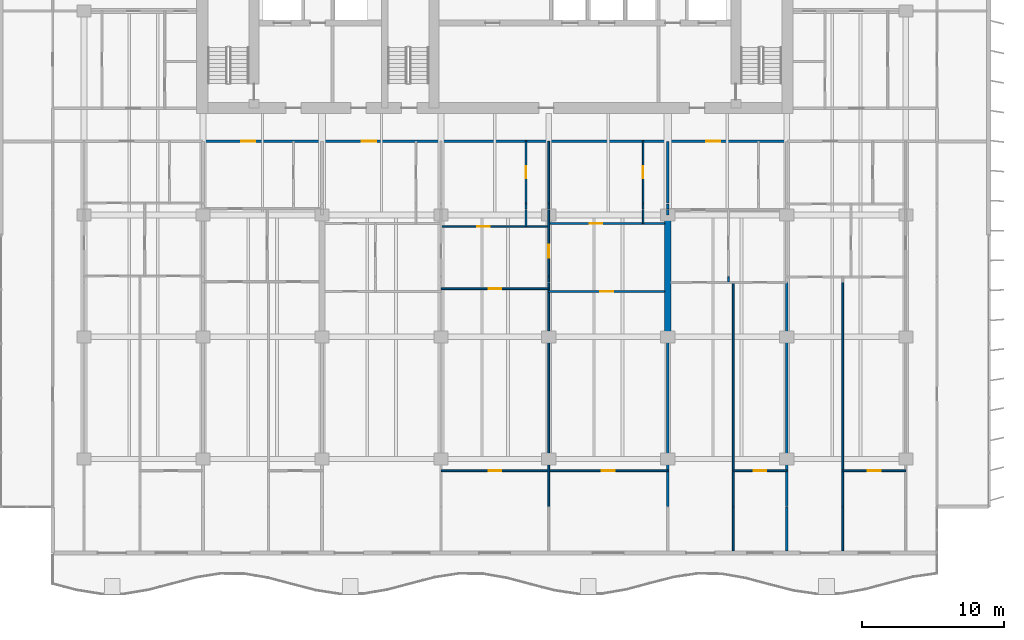
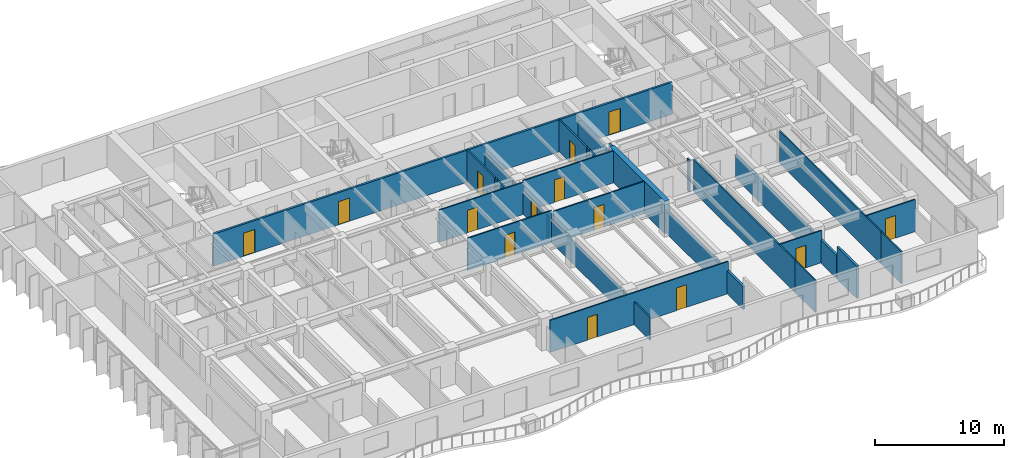
# One storey, part 8 of 16: 31 walls, 14 doors, 14 openings.
"""IFC4 building model written with IfcOpenShell, lengths in metres."""

from ifc_helpers import new_model, si_unit, direction, frame, frame_2d, origin, place, context, subcontext, project, spatial, rectangle, extrude, material, layer, layer_set, type_object, element, fill, save


model = new_model("IFC4")

# Units and contexts
model_context = context("Model", 3, precision=1e-05, world=origin(), true_north=direction((0.0, 1.0)))
body_context = subcontext(model_context, "Body", "Model", "MODEL_VIEW")
ifc_project = project(units=[si_unit("LENGTHUNIT", "METRE"), si_unit("AREAUNIT", "SQUARE_METRE"), si_unit("VOLUMEUNIT", "CUBIC_METRE"), si_unit("PLANEANGLEUNIT", "RADIAN"), si_unit("MASSUNIT", "GRAM", prefix="KILO")], contexts=[model_context])

# Site, building, storey
site_placement = place(None, origin())
site = spatial("IfcSite", under=ifc_project, at=site_placement, CompositionType="ELEMENT")
building_placement = place(site_placement, origin())
building = spatial("IfcBuilding", under=site, at=building_placement, Name="Caelmar Bay Residences", CompositionType="ELEMENT")
storey_placement = place(building_placement, frame((0.0, 0.0, 102.60009765625)))
storey = spatial("IfcBuildingStorey", under=building, at=storey_placement, Name="L27", CompositionType="ELEMENT", Elevation=102.60009765625)

# Wall
ifc_material_1 = material(Name="Concrete f'c 55 MPa (8,000 psi)", Category="concrete")
ifc_layer_1 = layer(ifc_material_1, 0.449951171875)
ifc_layer_set_1 = layer_set([ifc_layer_1], Name="Concrete f'c 55 MPa (8,000 psi)")
wall_type_1 = type_object("IfcWallType", Name="SW-XSLB-450", PredefinedType="SHEAR", material=ifc_layer_set_1)
wall_1_placement = place(storey_placement, frame((51.10009765625, 20.800048828125, 0.0), z_axis=(0.0, 0.0, 1.0), x_axis=(0.0, 1.0, 0.0)))
element("IfcWall", 1, at=wall_1_placement, inside=storey, type_object=wall_type_1, Name="L27 Transverse Cross-Slab Shear Wall E8", PredefinedType="SHEAR", context=body_context, shape_type="SweptSolid", body=[
    extrude(rectangle(XDim=8.599853515625, YDim=0.449951171875, at=frame_2d((4.2998046875, 0.0))), origin(), (0.0, 0.0, 1.0), 3.0498046875),
])

# Wall, openings, doors
ifc_material_2 = material(Name="Double-stud acoustic fire-rated gypsum partition 180 mm")
ifc_layer_2 = layer(ifc_material_2, 0.179931640625)
ifc_layer_set_2 = layer_set([ifc_layer_2], Name="Double-stud acoustic fire-rated gypsum partition 180 mm")
wall_type_2 = type_object("IfcWallType", Name="W-COR-200", PredefinedType="PARTITIONING", material=ifc_layer_set_2)
wall_2_placement = place(storey_placement, frame((18.300048828125, 34.60009765625, 0.0), z_axis=(0.0, 0.0, 1.0), x_axis=(1.0, 0.0, 0.0)))
wall_2 = element("IfcWall", 2, at=wall_2_placement, inside=storey, type_object=wall_type_2, Name="L27 Partition Wall H139", PredefinedType="PARTITIONING", context=body_context, shape_type="SweptSolid", body=[
    extrude(rectangle(XDim=41.199951171875, YDim=0.179931640625, at=frame_2d((20.60009765625, 0.0))), origin(), (0.0, 0.0, 1.0), 3.0498046875),
])
opening_1_placement = place(wall_2_placement, frame((2.69140625, 0.0, 0.0)))
opening_1 = element("IfcOpeningElement", 3, at=opening_1_placement, cuts=wall_2, Name="Opening D-L27-129", PredefinedType="OPENING", context=body_context, shape_type="SweptSolid", body=[
    extrude(rectangle(XDim=1.0, YDim=2.199951171875, at=frame_2d((0.5, 1.10009765625))), frame((0.0, 0.099853515625, 0.0), z_axis=(0.0, -1.0, 0.0), x_axis=(1.0, 0.0, 0.0)), (0.0, 0.0, 1.0), 0.199951171875),
])
opening_2_placement = place(wall_2_placement, frame((11.2119140625, 0.0, 0.0)))
opening_2 = element("IfcOpeningElement", 4, at=opening_2_placement, cuts=wall_2, Name="Opening D-L27-136", PredefinedType="OPENING", context=body_context, shape_type="SweptSolid", body=[
    extrude(rectangle(XDim=1.0, YDim=2.199951171875, at=frame_2d((0.5, 1.10009765625))), frame((0.0, 0.099853515625, 0.0), z_axis=(0.0, -1.0, 0.0), x_axis=(1.0, 0.0, 0.0)), (0.0, 0.0, 1.0), 0.199951171875),
])
opening_3_placement = place(wall_2_placement, frame((35.50390625, 0.0, 0.0)))
opening_3 = element("IfcOpeningElement", 5, at=opening_3_placement, cuts=wall_2, Name="Opening D-L27-151", PredefinedType="OPENING", context=body_context, shape_type="SweptSolid", body=[
    extrude(rectangle(XDim=1.0, YDim=2.199951171875, at=frame_2d((0.5, 1.10009765625))), frame((0.0, 0.099853515625, 0.0), z_axis=(0.0, -1.0, 0.0), x_axis=(1.0, 0.0, 0.0)), (0.0, 0.0, 1.0), 0.199951171875),
])
ifc_material_3 = material(Name="Fire-rated steel and walnut architectural door assembly", Category="steel")
ifc_layer_3 = layer(ifc_material_3, 0.050048828125)
ifc_layer_set_3 = layer_set([ifc_layer_3], Name="Fire-rated steel and walnut architectural door assembly")
door_type_1 = type_object("IfcDoorType", Name="D-UNIT-1000", OperationType="NOTDEFINED", PredefinedType="DOOR", material=ifc_layer_set_3)
door_1_placement = place(opening_1_placement, origin())
door_1 = element("IfcDoor", 6, at=door_1_placement, inside=storey, type_object=door_type_1, Name="L27 Residence 02 Apartment Hall Door", OperationType="SINGLE_SWING_RIGHT", OverallHeight=2.199951171875, OverallWidth=1.0, PredefinedType="DOOR", context=body_context, shape_type="SweptSolid", body=[
    extrude(rectangle(XDim=1.0, YDim=2.199951171875, at=frame_2d((0.5, 1.10009765625))), frame((0.0, 0.02490234375, 0.0), z_axis=(0.0, -1.0, 0.0), x_axis=(1.0, 0.0, 0.0)), (0.0, 0.0, 1.0), 0.050048828125),
])
fill(opening_1, door_1)
door_2_placement = place(opening_2_placement, origin())
door_2 = element("IfcDoor", 7, at=door_2_placement, inside=storey, type_object=door_type_1, Name="L27 Residence 03 Apartment Hall Door", OperationType="SINGLE_SWING_LEFT", OverallHeight=2.199951171875, OverallWidth=1.0, PredefinedType="DOOR", context=body_context, shape_type="SweptSolid", body=[
    extrude(rectangle(XDim=1.0, YDim=2.199951171875, at=frame_2d((0.5, 1.10009765625))), frame((0.0, 0.02490234375, 0.0), z_axis=(0.0, -1.0, 0.0), x_axis=(1.0, 0.0, 0.0)), (0.0, 0.0, 1.0), 0.050048828125),
])
fill(opening_2, door_2)
door_3_placement = place(opening_3_placement, origin())
door_3 = element("IfcDoor", 8, at=door_3_placement, inside=storey, type_object=door_type_1, Name="L27 Residence 04 Apartment Hall Door", OperationType="SINGLE_SWING_RIGHT", OverallHeight=2.199951171875, OverallWidth=1.0, PredefinedType="DOOR", context=body_context, shape_type="SweptSolid", body=[
    extrude(rectangle(XDim=1.0, YDim=2.199951171875, at=frame_2d((0.5, 1.10009765625))), frame((0.0, 0.02490234375, 0.0), z_axis=(0.0, -1.0, 0.0), x_axis=(1.0, 0.0, 0.0)), (0.0, 0.0, 1.0), 0.050048828125),
])
fill(opening_3, door_3)

# Walls
ifc_material_4 = material(Name="Acoustic metal-stud gypsum partition 120 mm")
ifc_layer_4 = layer(ifc_material_4, 0.1201171875)
ifc_layer_set_4 = layer_set([ifc_layer_4], Name="Acoustic metal-stud gypsum partition 120 mm")
wall_type_3 = type_object("IfcWallType", Name="W-PRT-120", PredefinedType="PARTITIONING", material=ifc_layer_set_4)
wall_3_placement = place(storey_placement, frame((41.10009765625, 28.60009765625, 0.0), z_axis=(0.0, 0.0, 1.0), x_axis=(0.0, 1.0, 0.0)))
element("IfcWall", 9, at=wall_3_placement, inside=storey, type_object=wall_type_3, Name="L27 Partition Wall V057", PredefinedType="PARTITIONING", context=body_context, shape_type="SweptSolid", body=[
    extrude(rectangle(XDim=1.179931640625, YDim=0.1201171875, at=frame_2d((0.58984375, 0.0))), origin(), (0.0, 0.0, 1.0), 3.0498046875),
])
wall_4_placement = place(storey_placement, frame((41.10009765625, 29.840087890625, 0.0), z_axis=(0.0, 0.0, 1.0), x_axis=(0.0, 1.0, 0.0)))
element("IfcWall", 10, at=wall_4_placement, inside=storey, type_object=wall_type_3, Name="L27 Partition Wall V058", PredefinedType="PARTITIONING", context=body_context, shape_type="SweptSolid", body=[
    extrude(rectangle(XDim=0.33984375, YDim=0.1201171875, at=frame_2d((0.169921875, 0.0))), origin(), (0.0, 0.0, 1.0), 3.0498046875),
])

# Wall, opening, door
wall_5_placement = place(storey_placement, frame((41.10009765625, 30.239990234375, 0.0), z_axis=(0.0, 0.0, 1.0), x_axis=(0.0, 1.0, 0.0)))
wall_5 = element("IfcWall", 11, at=wall_5_placement, inside=storey, type_object=wall_type_3, Name="L27 Partition Wall V059", PredefinedType="PARTITIONING", context=body_context, shape_type="SweptSolid", body=[
    extrude(rectangle(XDim=4.360107421875, YDim=0.1201171875, at=frame_2d((2.18017578125, 0.0))), origin(), (0.0, 0.0, 1.0), 3.0498046875),
])
opening_4_placement = place(wall_5_placement, frame((1.7548828125, 0.0, 0.0)))
opening_4 = element("IfcOpeningElement", 12, at=opening_4_placement, cuts=wall_5, Name="Opening D-L27-143", PredefinedType="OPENING", context=body_context, shape_type="SweptSolid", body=[
    extrude(rectangle(XDim=0.85009765625, YDim=2.10009765625, at=frame_2d((0.425048828125, 1.050048828125))), frame((0.0, 0.070068359375, 0.0), z_axis=(0.0, -1.0, 0.0), x_axis=(1.0, 0.0, 0.0)), (0.0, 0.0, 1.0), 0.14013671875),
])
ifc_material_5 = material(Name="Solid walnut timber interior door leaf and frame", Category="wood")
ifc_layer_5 = layer(ifc_material_5, 0.050048828125)
ifc_layer_set_5 = layer_set([ifc_layer_5], Name="Solid walnut timber interior door leaf and frame")
door_type_2 = type_object("IfcDoorType", Name="D-BATH-850", OperationType="NOTDEFINED", PredefinedType="DOOR", material=ifc_layer_set_5)
door_4_placement = place(opening_4_placement, origin())
door_4 = element("IfcDoor", 13, at=door_4_placement, inside=storey, type_object=door_type_2, Name="L27 Residence 03 En-Suite Bathroom 1 Door", OperationType="SINGLE_SWING_RIGHT", OverallHeight=2.10009765625, OverallWidth=0.85009765625, PredefinedType="DOOR", context=body_context, shape_type="SweptSolid", body=[
    extrude(rectangle(XDim=0.85009765625, YDim=2.10009765625, at=frame_2d((0.425048828125, 1.050048828125))), frame((0.0, 0.02490234375, 0.0), z_axis=(0.0, -1.0, 0.0), x_axis=(1.0, 0.0, 0.0)), (0.0, 0.0, 1.0), 0.050048828125),
])
fill(opening_4, door_4)

# Walls
wall_6_placement = place(storey_placement, frame((42.699951171875, 8.840087890625, 0.0), z_axis=(0.0, 0.0, 1.0), x_axis=(0.0, 1.0, 0.0)))
element("IfcWall", 14, at=wall_6_placement, inside=storey, type_object=wall_type_3, Name="L27 Partition Wall V062", PredefinedType="PARTITIONING", context=body_context, shape_type="SweptSolid", body=[
    extrude(rectangle(XDim=15.789794921875, YDim=0.1201171875, at=frame_2d((7.89501953125, 0.0))), origin(), (0.0, 0.0, 1.0), 2.173828125),
])
wall_7_placement = place(storey_placement, frame((42.699951171875, 24.68994140625, 0.0), z_axis=(0.0, 0.0, 1.0), x_axis=(0.0, 1.0, 0.0)))
element("IfcWall", 15, at=wall_7_placement, inside=storey, type_object=wall_type_3, Name="L27 Partition Wall V063", PredefinedType="PARTITIONING", context=body_context, shape_type="SweptSolid", body=[
    extrude(rectangle(XDim=0.340087890625, YDim=0.1201171875, at=frame_2d((0.169921875, 0.0))), origin(), (0.0, 0.0, 1.0), 2.173828125),
])

# Wall, opening, door
wall_8_placement = place(storey_placement, frame((42.699951171875, 25.090087890625, 0.0), z_axis=(0.0, 0.0, 1.0), x_axis=(0.0, 1.0, 0.0)))
wall_8 = element("IfcWall", 16, at=wall_8_placement, inside=storey, type_object=wall_type_3, Name="L27 Partition Wall V064", PredefinedType="PARTITIONING", context=body_context, shape_type="SweptSolid", body=[
    extrude(rectangle(XDim=4.68994140625, YDim=0.1201171875, at=frame_2d((2.344970703125, 0.0))), origin(), (0.0, 0.0, 1.0), 2.173828125),
])
opening_5_placement = place(wall_8_placement, frame((1.304931640625, 0.0, 0.0)))
opening_5 = element("IfcOpeningElement", 17, at=opening_5_placement, cuts=wall_8, Name="Opening D-L27-146", PredefinedType="OPENING", context=body_context, shape_type="SweptSolid", body=[
    extrude(rectangle(XDim=0.89990234375, YDim=2.1240234375, at=frame_2d((0.449951171875, 1.06201171875))), frame((0.0, 0.070068359375, 0.0), z_axis=(0.0, -1.0, 0.0), x_axis=(1.0, 0.0, 0.0)), (0.0, 0.0, 1.0), 0.14013671875),
])
ifc_layer_6 = layer(ifc_material_5, 0.050048828125)
ifc_layer_set_6 = layer_set([ifc_layer_6], Name="Solid walnut timber interior door leaf and frame")
door_type_3 = type_object("IfcDoorType", Name="D-ROOM-900", OperationType="NOTDEFINED", PredefinedType="DOOR", material=ifc_layer_set_6)
door_5_placement = place(opening_5_placement, origin())
door_5 = element("IfcDoor", 18, at=door_5_placement, inside=storey, type_object=door_type_3, Name="L27 Residence 03 Formal Dining Room 2 Door", OperationType="SINGLE_SWING_LEFT", OverallHeight=2.1240234375, OverallWidth=0.89990234375, PredefinedType="DOOR", context=body_context, shape_type="SweptSolid", body=[
    extrude(rectangle(XDim=0.89990234375, YDim=2.1240234375, at=frame_2d((0.449951171875, 1.06201171875))), frame((0.0, 0.02490234375, 0.0), z_axis=(0.0, -1.0, 0.0), x_axis=(1.0, 0.0, 0.0)), (0.0, 0.0, 1.0), 0.050048828125),
])
fill(opening_5, door_5)

# Walls
wall_9_placement = place(storey_placement, frame((42.699951171875, 29.840087890625, 0.0), z_axis=(0.0, 0.0, 1.0), x_axis=(0.0, 1.0, 0.0)))
element("IfcWall", 19, at=wall_9_placement, inside=storey, type_object=wall_type_3, Name="L27 Partition Wall V065", PredefinedType="PARTITIONING", context=body_context, shape_type="SweptSolid", body=[
    extrude(rectangle(XDim=0.33984375, YDim=0.1201171875, at=frame_2d((0.169921875, 0.0))), origin(), (0.0, 0.0, 1.0), 2.173828125),
])
wall_10_placement = place(storey_placement, frame((42.699951171875, 30.239990234375, 0.0), z_axis=(0.0, 0.0, 1.0), x_axis=(0.0, 1.0, 0.0)))
element("IfcWall", 20, at=wall_10_placement, inside=storey, type_object=wall_type_3, Name="L27 Partition Wall V066", PredefinedType="PARTITIONING", context=body_context, shape_type="SweptSolid", body=[
    extrude(rectangle(XDim=4.360107421875, YDim=0.1201171875, at=frame_2d((2.18017578125, 0.0))), origin(), (0.0, 0.0, 1.0), 2.173828125),
])
wall_11_placement = place(storey_placement, frame((49.35888671875, 28.800048828125, 0.0), z_axis=(0.0, 0.0, 1.0), x_axis=(0.0, 1.0, 0.0)))
element("IfcWall", 21, at=wall_11_placement, inside=storey, type_object=wall_type_3, Name="L27 Partition Wall V071", PredefinedType="PARTITIONING", context=body_context, shape_type="SweptSolid", body=[
    extrude(rectangle(XDim=0.97998046875, YDim=0.1201171875, at=frame_2d((0.489990234375, 0.0))), origin(), (0.0, 0.0, 1.0), 3.0498046875),
])
wall_12_placement = place(storey_placement, frame((49.35888671875, 29.840087890625, 0.0), z_axis=(0.0, 0.0, 1.0), x_axis=(0.0, 1.0, 0.0)))
element("IfcWall", 22, at=wall_12_placement, inside=storey, type_object=wall_type_3, Name="L27 Partition Wall V072", PredefinedType="PARTITIONING", context=body_context, shape_type="SweptSolid", body=[
    extrude(rectangle(XDim=0.33984375, YDim=0.1201171875, at=frame_2d((0.169921875, 0.0))), origin(), (0.0, 0.0, 1.0), 3.0498046875),
])

# Wall, opening, door
wall_13_placement = place(storey_placement, frame((49.35888671875, 30.239990234375, 0.0), z_axis=(0.0, 0.0, 1.0), x_axis=(0.0, 1.0, 0.0)))
wall_13 = element("IfcWall", 23, at=wall_13_placement, inside=storey, type_object=wall_type_3, Name="L27 Partition Wall V073", PredefinedType="PARTITIONING", context=body_context, shape_type="SweptSolid", body=[
    extrude(rectangle(XDim=4.360107421875, YDim=0.1201171875, at=frame_2d((2.18017578125, 0.0))), origin(), (0.0, 0.0, 1.0), 3.0498046875),
])
opening_6_placement = place(wall_13_placement, frame((1.7548828125, 0.0, 0.0)))
opening_6 = element("IfcOpeningElement", 24, at=opening_6_placement, cuts=wall_13, Name="Opening D-L27-148", PredefinedType="OPENING", context=body_context, shape_type="SweptSolid", body=[
    extrude(rectangle(XDim=0.85009765625, YDim=2.10009765625, at=frame_2d((0.425048828125, 1.050048828125))), frame((0.0, 0.070068359375, 0.0), z_axis=(0.0, -1.0, 0.0), x_axis=(1.0, 0.0, 0.0)), (0.0, 0.0, 1.0), 0.14013671875),
])
door_6_placement = place(opening_6_placement, origin())
door_6 = element("IfcDoor", 25, at=door_6_placement, inside=storey, type_object=door_type_2, Name="L27 Residence 03 En-Suite Bathroom 2 Door", OperationType="SINGLE_SWING_LEFT", OverallHeight=2.10009765625, OverallWidth=0.85009765625, PredefinedType="DOOR", context=body_context, shape_type="SweptSolid", body=[
    extrude(rectangle(XDim=0.85009765625, YDim=2.10009765625, at=frame_2d((0.425048828125, 1.050048828125))), frame((0.0, 0.02490234375, 0.0), z_axis=(0.0, -1.0, 0.0), x_axis=(1.0, 0.0, 0.0)), (0.0, 0.0, 1.0), 0.050048828125),
])
fill(opening_6, door_6)

# Walls
wall_14_placement = place(storey_placement, frame((55.385986328125, 24.68994140625, 0.0), z_axis=(0.0, 0.0, 1.0), x_axis=(0.0, 1.0, 0.0)))
element("IfcWall", 26, at=wall_14_placement, inside=storey, type_object=wall_type_3, Name="L27 Partition Wall V083", PredefinedType="PARTITIONING", context=body_context, shape_type="SweptSolid", body=[
    extrude(rectangle(XDim=0.340087890625, YDim=0.1201171875, at=frame_2d((0.169921875, 0.0))), origin(), (0.0, 0.0, 1.0), 3.0498046875),
])
wall_15_placement = place(storey_placement, frame((55.719970703125, 5.695068359375, 0.0), z_axis=(0.0, 0.0, 1.0), x_axis=(0.0, 1.0, 0.0)))
element("IfcWall", 27, at=wall_15_placement, inside=storey, type_object=wall_type_3, Name="L27 Partition Wall V085", PredefinedType="PARTITIONING", context=body_context, shape_type="SweptSolid", body=[
    extrude(rectangle(XDim=3.10498046875, YDim=0.1201171875, at=frame_2d((1.552490234375, 0.0))), origin(), (0.0, 0.0, 1.0), 3.0498046875),
])
wall_16_placement = place(storey_placement, frame((55.719970703125, 8.840087890625, 0.0), z_axis=(0.0, 0.0, 1.0), x_axis=(0.0, 1.0, 0.0)))
element("IfcWall", 28, at=wall_16_placement, inside=storey, type_object=wall_type_3, Name="L27 Partition Wall V086", PredefinedType="PARTITIONING", context=body_context, shape_type="SweptSolid", body=[
    extrude(rectangle(XDim=15.789794921875, YDim=0.1201171875, at=frame_2d((7.89501953125, 0.0))), origin(), (0.0, 0.0, 1.0), 3.0498046875),
])
wall_17_placement = place(storey_placement, frame((63.447998046875, 5.695068359375, 0.0), z_axis=(0.0, 0.0, 1.0), x_axis=(0.0, 1.0, 0.0)))
element("IfcWall", 29, at=wall_17_placement, inside=storey, type_object=wall_type_3, Name="L27 Partition Wall V097", PredefinedType="PARTITIONING", context=body_context, shape_type="SweptSolid", body=[
    extrude(rectangle(XDim=3.10498046875, YDim=0.1201171875, at=frame_2d((1.552490234375, 0.0))), origin(), (0.0, 0.0, 1.0), 3.0498046875),
])
wall_18_placement = place(storey_placement, frame((63.447998046875, 8.840087890625, 0.0), z_axis=(0.0, 0.0, 1.0), x_axis=(0.0, 1.0, 0.0)))
element("IfcWall", 30, at=wall_18_placement, inside=storey, type_object=wall_type_3, Name="L27 Partition Wall V098", PredefinedType="PARTITIONING", context=body_context, shape_type="SweptSolid", body=[
    extrude(rectangle(XDim=15.789794921875, YDim=0.1201171875, at=frame_2d((7.89501953125, 0.0))), origin(), (0.0, 0.0, 1.0), 3.0498046875),
])

# Wall, openings, doors
wall_19_placement = place(storey_placement, frame((35.10009765625, 11.35009765625, 0.0), z_axis=(0.0, 0.0, 1.0), x_axis=(1.0, 0.0, 0.0)))
wall_19 = element("IfcWall", 31, at=wall_19_placement, inside=storey, type_object=wall_type_3, Name="L27 Partition Wall H120", PredefinedType="PARTITIONING", context=body_context, shape_type="SweptSolid", body=[
    extrude(rectangle(XDim=16.0, YDim=0.1201171875, at=frame_2d((8.0, 0.0))), origin(), (0.0, 0.0, 1.0), 3.0498046875),
])
opening_7_placement = place(wall_19_placement, frame((3.35009765625, 0.0, 0.0)))
opening_7 = element("IfcOpeningElement", 32, at=opening_7_placement, cuts=wall_19, Name="Opening D-L27-145", PredefinedType="OPENING", context=body_context, shape_type="SweptSolid", body=[
    extrude(rectangle(XDim=0.89990234375, YDim=2.14990234375, at=frame_2d((0.449951171875, 1.074951171875))), frame((0.0, 0.070068359375, 0.0), z_axis=(0.0, -1.0, 0.0), x_axis=(1.0, 0.0, 0.0)), (0.0, 0.0, 1.0), 0.14013671875),
])
opening_8_placement = place(wall_19_placement, frame((11.35009765625, 0.0, 0.0)))
opening_8 = element("IfcOpeningElement", 33, at=opening_8_placement, cuts=wall_19, Name="Opening D-L27-150", PredefinedType="OPENING", context=body_context, shape_type="SweptSolid", body=[
    extrude(rectangle(XDim=0.89990234375, YDim=2.14990234375, at=frame_2d((0.449951171875, 1.074951171875))), frame((0.0, 0.070068359375, 0.0), z_axis=(0.0, -1.0, 0.0), x_axis=(1.0, 0.0, 0.0)), (0.0, 0.0, 1.0), 0.14013671875),
])
door_7_placement = place(opening_7_placement, origin())
door_7 = element("IfcDoor", 34, at=door_7_placement, inside=storey, type_object=door_type_3, Name="L27 Residence 03 Primary Bedroom 1 Door", OperationType="SINGLE_SWING_RIGHT", OverallHeight=2.14990234375, OverallWidth=0.89990234375, PredefinedType="DOOR", context=body_context, shape_type="SweptSolid", body=[
    extrude(rectangle(XDim=0.89990234375, YDim=2.14990234375, at=frame_2d((0.449951171875, 1.074951171875))), frame((0.0, 0.02490234375, 0.0), z_axis=(0.0, -1.0, 0.0), x_axis=(1.0, 0.0, 0.0)), (0.0, 0.0, 1.0), 0.050048828125),
])
fill(opening_7, door_7)
door_8_placement = place(opening_8_placement, origin())
door_8 = element("IfcDoor", 35, at=door_8_placement, inside=storey, type_object=door_type_3, Name="L27 Residence 03 Primary Bedroom 2 Door", OperationType="SINGLE_SWING_LEFT", OverallHeight=2.14990234375, OverallWidth=0.89990234375, PredefinedType="DOOR", context=body_context, shape_type="SweptSolid", body=[
    extrude(rectangle(XDim=0.89990234375, YDim=2.14990234375, at=frame_2d((0.449951171875, 1.074951171875))), frame((0.0, 0.02490234375, 0.0), z_axis=(0.0, -1.0, 0.0), x_axis=(1.0, 0.0, 0.0)), (0.0, 0.0, 1.0), 0.050048828125),
])
fill(opening_8, door_8)

# Wall, opening, door
wall_20_placement = place(storey_placement, frame((55.719970703125, 11.35009765625, 0.0), z_axis=(0.0, 0.0, 1.0), x_axis=(1.0, 0.0, 0.0)))
wall_20 = element("IfcWall", 36, at=wall_20_placement, inside=storey, type_object=wall_type_3, Name="L27 Partition Wall H121", PredefinedType="PARTITIONING", context=body_context, shape_type="SweptSolid", body=[
    extrude(rectangle(XDim=3.780029296875, YDim=0.1201171875, at=frame_2d((1.89013671875, 0.0))), origin(), (0.0, 0.0, 1.0), 3.0498046875),
])
opening_9_placement = place(wall_20_placement, frame((1.43994140625, 0.0, 0.0)))
opening_9 = element("IfcOpeningElement", 37, at=opening_9_placement, cuts=wall_20, Name="Opening D-L27-157", PredefinedType="OPENING", context=body_context, shape_type="SweptSolid", body=[
    extrude(rectangle(XDim=0.89990234375, YDim=2.14990234375, at=frame_2d((0.449951171875, 1.074951171875))), frame((0.0, 0.070068359375, 0.0), z_axis=(0.0, -1.0, 0.0), x_axis=(1.0, 0.0, 0.0)), (0.0, 0.0, 1.0), 0.14013671875),
])
door_9_placement = place(opening_9_placement, origin())
door_9 = element("IfcDoor", 38, at=door_9_placement, inside=storey, type_object=door_type_3, Name="L27 Residence 04 Primary Bedroom Door", OperationType="SINGLE_SWING_RIGHT", OverallHeight=2.14990234375, OverallWidth=0.89990234375, PredefinedType="DOOR", context=body_context, shape_type="SweptSolid", body=[
    extrude(rectangle(XDim=0.89990234375, YDim=2.14990234375, at=frame_2d((0.449951171875, 1.074951171875))), frame((0.0, 0.02490234375, 0.0), z_axis=(0.0, -1.0, 0.0), x_axis=(1.0, 0.0, 0.0)), (0.0, 0.0, 1.0), 0.050048828125),
])
fill(opening_9, door_9)

wall_21_placement = place(storey_placement, frame((63.447998046875, 11.35009765625, 0.0), z_axis=(0.0, 0.0, 1.0), x_axis=(1.0, 0.0, 0.0)))
wall_21 = element("IfcWall", 39, at=wall_21_placement, inside=storey, type_object=wall_type_3, Name="L27 Partition Wall H122", PredefinedType="PARTITIONING", context=body_context, shape_type="SweptSolid", body=[
    extrude(rectangle(XDim=4.451904296875, YDim=0.1201171875, at=frame_2d((2.22607421875, 0.0))), origin(), (0.0, 0.0, 1.0), 3.0498046875),
])
opening_10_placement = place(wall_21_placement, frame((1.77587890625, 0.0, 0.0)))
opening_10 = element("IfcOpeningElement", 40, at=opening_10_placement, cuts=wall_21, Name="Opening D-L27-164", PredefinedType="OPENING", context=body_context, shape_type="SweptSolid", body=[
    extrude(rectangle(XDim=0.89990234375, YDim=2.14990234375, at=frame_2d((0.449951171875, 1.074951171875))), frame((0.0, 0.070068359375, 0.0), z_axis=(0.0, -1.0, 0.0), x_axis=(1.0, 0.0, 0.0)), (0.0, 0.0, 1.0), 0.14013671875),
])
door_10_placement = place(opening_10_placement, origin())
door_10 = element("IfcDoor", 41, at=door_10_placement, inside=storey, type_object=door_type_3, Name="L27 Residence 05 Primary Bedroom Door", OperationType="SINGLE_SWING_LEFT", OverallHeight=2.14990234375, OverallWidth=0.89990234375, PredefinedType="DOOR", context=body_context, shape_type="SweptSolid", body=[
    extrude(rectangle(XDim=0.89990234375, YDim=2.14990234375, at=frame_2d((0.449951171875, 1.074951171875))), frame((0.0, 0.02490234375, 0.0), z_axis=(0.0, -1.0, 0.0), x_axis=(1.0, 0.0, 0.0)), (0.0, 0.0, 1.0), 0.050048828125),
])
fill(opening_10, door_10)

wall_22_placement = place(storey_placement, frame((42.699951171875, 24.0, 0.0), z_axis=(0.0, 0.0, 1.0), x_axis=(1.0, 0.0, 0.0)))
wall_22 = element("IfcWall", 42, at=wall_22_placement, inside=storey, type_object=wall_type_3, Name="L27 Partition Wall H124", PredefinedType="PARTITIONING", context=body_context, shape_type="SweptSolid", body=[
    extrude(rectangle(XDim=8.179931640625, YDim=0.1201171875, at=frame_2d((4.08984375, 0.0))), origin(), (0.0, 0.0, 1.0), 3.0498046875),
])
opening_11_placement = place(wall_22_placement, frame((3.639892578125, 0.0, 0.0)))
opening_11 = element("IfcOpeningElement", 43, at=opening_11_placement, cuts=wall_22, Name="Opening D-L27-149", PredefinedType="OPENING", context=body_context, shape_type="SweptSolid", body=[
    extrude(rectangle(XDim=0.89990234375, YDim=2.14990234375, at=frame_2d((0.449951171875, 1.074951171875))), frame((0.0, 0.070068359375, 0.0), z_axis=(0.0, -1.0, 0.0), x_axis=(1.0, 0.0, 0.0)), (0.0, 0.0, 1.0), 0.14013671875),
])
door_11_placement = place(opening_11_placement, origin())
door_11 = element("IfcDoor", 44, at=door_11_placement, inside=storey, type_object=door_type_3, Name="L27 Residence 03 Penthouse Sitting Salon 2 Door", OperationType="SINGLE_SWING_RIGHT", OverallHeight=2.14990234375, OverallWidth=0.89990234375, PredefinedType="DOOR", context=body_context, shape_type="SweptSolid", body=[
    extrude(rectangle(XDim=0.89990234375, YDim=2.14990234375, at=frame_2d((0.449951171875, 1.074951171875))), frame((0.0, 0.02490234375, 0.0), z_axis=(0.0, -1.0, 0.0), x_axis=(1.0, 0.0, 0.0)), (0.0, 0.0, 1.0), 0.050048828125),
])
fill(opening_11, door_11)

wall_23_placement = place(storey_placement, frame((35.10498046875, 24.199951171875, 0.0), z_axis=(0.0, 0.0, 1.0), x_axis=(1.0, 0.0, 0.0)))
wall_23 = element("IfcWall", 45, at=wall_23_placement, inside=storey, type_object=wall_type_3, Name="L27 Partition Wall H125", PredefinedType="PARTITIONING", context=body_context, shape_type="SweptSolid", body=[
    extrude(rectangle(XDim=7.590087890625, YDim=0.1201171875, at=frame_2d((3.794921875, 0.0))), origin(), (0.0, 0.0, 1.0), 3.0498046875),
])
opening_12_placement = place(wall_23_placement, frame((3.344970703125, 0.0, 0.0)))
opening_12 = element("IfcOpeningElement", 46, at=opening_12_placement, cuts=wall_23, Name="Opening D-L27-144", PredefinedType="OPENING", context=body_context, shape_type="SweptSolid", body=[
    extrude(rectangle(XDim=0.89990234375, YDim=2.14990234375, at=frame_2d((0.449951171875, 1.074951171875))), frame((0.0, 0.070068359375, 0.0), z_axis=(0.0, -1.0, 0.0), x_axis=(1.0, 0.0, 0.0)), (0.0, 0.0, 1.0), 0.14013671875),
])
door_12_placement = place(opening_12_placement, origin())
door_12 = element("IfcDoor", 47, at=door_12_placement, inside=storey, type_object=door_type_3, Name="L27 Residence 03 Penthouse Sitting Salon 1 Door", OperationType="SINGLE_SWING_LEFT", OverallHeight=2.14990234375, OverallWidth=0.89990234375, PredefinedType="DOOR", context=body_context, shape_type="SweptSolid", body=[
    extrude(rectangle(XDim=0.89990234375, YDim=2.14990234375, at=frame_2d((0.449951171875, 1.074951171875))), frame((0.0, 0.02490234375, 0.0), z_axis=(0.0, -1.0, 0.0), x_axis=(1.0, 0.0, 0.0)), (0.0, 0.0, 1.0), 0.050048828125),
])
fill(opening_12, door_12)

wall_24_placement = place(storey_placement, frame((35.10009765625, 28.60009765625, 0.0), z_axis=(0.0, 0.0, 1.0), x_axis=(1.0, 0.0, 0.0)))
wall_24 = element("IfcWall", 48, at=wall_24_placement, inside=storey, type_object=wall_type_3, Name="L27 Partition Wall H130", PredefinedType="PARTITIONING", context=body_context, shape_type="SweptSolid", body=[
    extrude(rectangle(XDim=7.599853515625, YDim=0.1201171875, at=frame_2d((3.7998046875, 0.0))), origin(), (0.0, 0.0, 1.0), 3.0498046875),
])
opening_13_placement = place(wall_24_placement, frame((2.550048828125, 0.0, 0.0)))
opening_13 = element("IfcOpeningElement", 49, at=opening_13_placement, cuts=wall_24, Name="Opening D-L27-142", PredefinedType="OPENING", context=body_context, shape_type="SweptSolid", body=[
    extrude(rectangle(XDim=0.89990234375, YDim=2.14990234375, at=frame_2d((0.449951171875, 1.074951171875))), frame((0.0, 0.070068359375, 0.0), z_axis=(0.0, -1.0, 0.0), x_axis=(1.0, 0.0, 0.0)), (0.0, 0.0, 1.0), 0.14013671875),
])
door_13_placement = place(opening_13_placement, origin())
door_13 = element("IfcDoor", 50, at=door_13_placement, inside=storey, type_object=door_type_3, Name="L27 Residence 03 Breakfast Dining Room 1 Door", OperationType="SINGLE_SWING_LEFT", OverallHeight=2.14990234375, OverallWidth=0.89990234375, PredefinedType="DOOR", context=body_context, shape_type="SweptSolid", body=[
    extrude(rectangle(XDim=0.89990234375, YDim=2.14990234375, at=frame_2d((0.449951171875, 1.074951171875))), frame((0.0, 0.02490234375, 0.0), z_axis=(0.0, -1.0, 0.0), x_axis=(1.0, 0.0, 0.0)), (0.0, 0.0, 1.0), 0.050048828125),
])
fill(opening_13, door_13)

wall_25_placement = place(storey_placement, frame((42.705078125, 28.800048828125, 0.0), z_axis=(0.0, 0.0, 1.0), x_axis=(1.0, 0.0, 0.0)))
wall_25 = element("IfcWall", 51, at=wall_25_placement, inside=storey, type_object=wall_type_3, Name="L27 Partition Wall H132", PredefinedType="PARTITIONING", context=body_context, shape_type="SweptSolid", body=[
    extrude(rectangle(XDim=8.1748046875, YDim=0.1201171875, at=frame_2d((4.08740234375, 0.0))), origin(), (0.0, 0.0, 1.0), 3.0498046875),
])
opening_14_placement = place(wall_25_placement, frame((2.876953125, 0.0, 0.0)))
opening_14 = element("IfcOpeningElement", 52, at=opening_14_placement, cuts=wall_25, Name="Opening D-L27-147", PredefinedType="OPENING", context=body_context, shape_type="SweptSolid", body=[
    extrude(rectangle(XDim=0.89990234375, YDim=2.14990234375, at=frame_2d((0.449951171875, 1.074951171875))), frame((0.0, 0.070068359375, 0.0), z_axis=(0.0, -1.0, 0.0), x_axis=(1.0, 0.0, 0.0)), (0.0, 0.0, 1.0), 0.14013671875),
])
door_14_placement = place(opening_14_placement, origin())
door_14 = element("IfcDoor", 53, at=door_14_placement, inside=storey, type_object=door_type_3, Name="L27 Residence 03 Breakfast Dining Room 2 Door", OperationType="SINGLE_SWING_RIGHT", OverallHeight=2.14990234375, OverallWidth=0.89990234375, PredefinedType="DOOR", context=body_context, shape_type="SweptSolid", body=[
    extrude(rectangle(XDim=0.89990234375, YDim=2.14990234375, at=frame_2d((0.449951171875, 1.074951171875))), frame((0.0, 0.02490234375, 0.0), z_axis=(0.0, -1.0, 0.0), x_axis=(1.0, 0.0, 0.0)), (0.0, 0.0, 1.0), 0.050048828125),
])
fill(opening_14, door_14)

# Walls
ifc_material_6 = material(Name="Acoustic twin-stud fire-rated inter-tenancy partition 200 mm")
ifc_layer_7 = layer(ifc_material_6, 0.199951171875)
ifc_layer_set_7 = layer_set([ifc_layer_7], Name="Acoustic twin-stud fire-rated inter-tenancy partition 200 mm")
wall_type_4 = type_object("IfcWallType", Name="W-PTY-200", PredefinedType="PARTITIONING", material=ifc_layer_set_7)
wall_26_placement = place(storey_placement, frame((51.10009765625, 8.840087890625, 0.0), z_axis=(0.0, 0.0, 1.0), x_axis=(0.0, 1.0, 0.0)))
element("IfcWall", 54, at=wall_26_placement, inside=storey, type_object=wall_type_4, Name="L27 Partition Wall V078", PredefinedType="PARTITIONING", context=body_context, shape_type="SweptSolid", body=[
    extrude(rectangle(XDim=11.954833984375, YDim=0.199951171875, at=frame_2d((5.9775390625, 0.0))), origin(), (0.0, 0.0, 1.0), 2.173828125),
])
wall_27_placement = place(storey_placement, frame((51.10009765625, 29.405029296875, 0.0), z_axis=(0.0, 0.0, 1.0), x_axis=(0.0, 1.0, 0.0)))
element("IfcWall", 55, at=wall_27_placement, inside=storey, type_object=wall_type_4, Name="L27 Partition Wall V079", PredefinedType="PARTITIONING", context=body_context, shape_type="SweptSolid", body=[
    extrude(rectangle(XDim=0.375, YDim=0.199951171875, at=frame_2d((0.1875, 0.0))), origin(), (0.0, 0.0, 1.0), 3.0498046875),
])
wall_28_placement = place(storey_placement, frame((51.10009765625, 29.840087890625, 0.0), z_axis=(0.0, 0.0, 1.0), x_axis=(0.0, 1.0, 0.0)))
element("IfcWall", 56, at=wall_28_placement, inside=storey, type_object=wall_type_4, Name="L27 Partition Wall V080", PredefinedType="PARTITIONING", context=body_context, shape_type="SweptSolid", body=[
    extrude(rectangle(XDim=0.33984375, YDim=0.199951171875, at=frame_2d((0.169921875, 0.0))), origin(), (0.0, 0.0, 1.0), 2.3349609375),
])
wall_29_placement = place(storey_placement, frame((51.10009765625, 30.239990234375, 0.0), z_axis=(0.0, 0.0, 1.0), x_axis=(0.0, 1.0, 0.0)))
element("IfcWall", 57, at=wall_29_placement, inside=storey, type_object=wall_type_4, Name="L27 Partition Wall V081", PredefinedType="PARTITIONING", context=body_context, shape_type="SweptSolid", body=[
    extrude(rectangle(XDim=4.360107421875, YDim=0.199951171875, at=frame_2d((2.18017578125, 0.0))), origin(), (0.0, 0.0, 1.0), 2.3349609375),
])
wall_30_placement = place(storey_placement, frame((59.5, 5.695068359375, 0.0), z_axis=(0.0, 0.0, 1.0), x_axis=(0.0, 1.0, 0.0)))
element("IfcWall", 58, at=wall_30_placement, inside=storey, type_object=wall_type_4, Name="L27 Partition Wall V090", PredefinedType="PARTITIONING", context=body_context, shape_type="SweptSolid", body=[
    extrude(rectangle(XDim=3.10498046875, YDim=0.199951171875, at=frame_2d((1.552490234375, 0.0))), origin(), (0.0, 0.0, 1.0), 3.0498046875),
])
wall_31_placement = place(storey_placement, frame((59.5, 8.840087890625, 0.0), z_axis=(0.0, 0.0, 1.0), x_axis=(0.0, 1.0, 0.0)))
element("IfcWall", 59, at=wall_31_placement, inside=storey, type_object=wall_type_4, Name="L27 Partition Wall V091", PredefinedType="PARTITIONING", context=body_context, shape_type="SweptSolid", body=[
    extrude(rectangle(XDim=15.789794921875, YDim=0.199951171875, at=frame_2d((7.89501953125, 0.0))), origin(), (0.0, 0.0, 1.0), 2.173828125),
])

save(model, "model.ifc")
